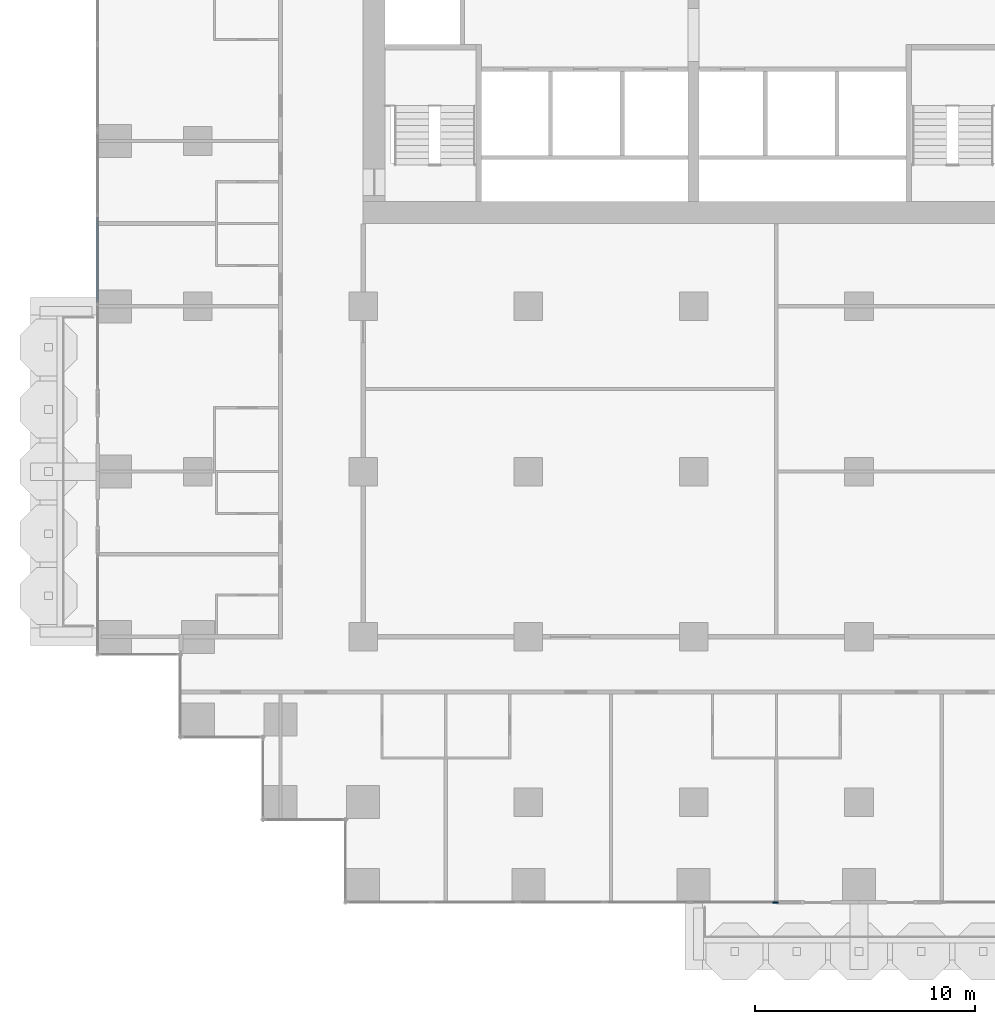
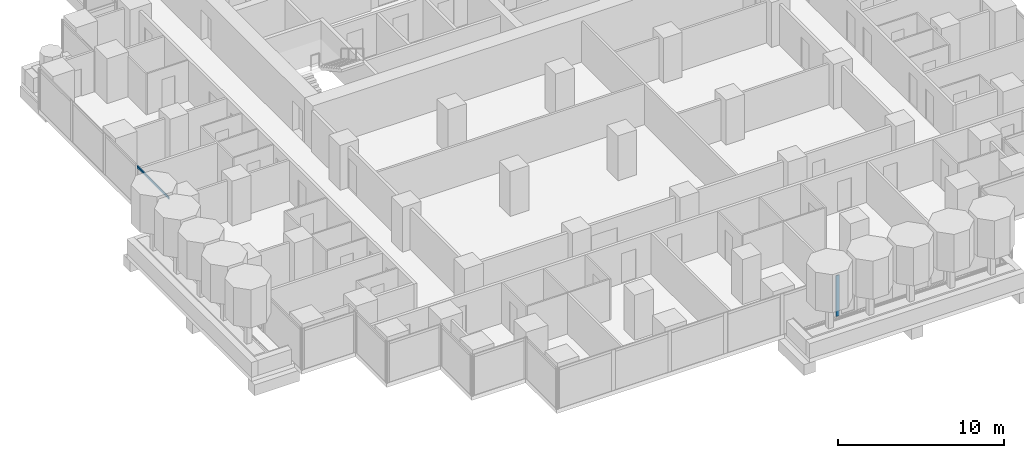
# One storey, part 3 of 19: 2 members, 2 elements without a shape of their own.
"""IFC4 building model written with IfcOpenShell, lengths in metres."""

import ifcopenshell
import ifcopenshell.guid

model = None  # the IFC model being written
_history = None  # IfcOwnerHistory: only IFC2X3 demands one
_inside = {}  # id of a spatial element -> (the spatial element, [elements in it])
_under = {}  # id of a project, library or spatial element -> (it, [spatial elements below it])
_declared = {}  # id of a project -> (the project, [libraries it declares])
_typed = {}  # id of a type object -> (the type object, [elements of that type])
_made_of = {}  # id of a material, layer set ... -> (it, [elements and type objects made of it])


def new_model(schema):
    """Start an empty IFC model of exactly this schema.

    Asked for "IFC4X3", IfcOpenShell would pick the latest addendum, in which some entities
    have other attributes; the version numbers below select the first issue.
    IFC2X3 requires an IfcOwnerHistory on every rooted entity: one is made here for all.
    """
    global model, _history
    if schema == "IFC4X3":
        model = ifcopenshell.file(schema_version=(4, 3, 0, 0))
    else:
        model = ifcopenshell.file(schema=schema)
    _inside.clear()
    _under.clear()
    _declared.clear()
    _typed.clear()
    _made_of.clear()
    _history = None
    if model.schema == "IFC2X3":
        org = make("IfcOrganization", Name="unknown")
        user = make(
            "IfcPersonAndOrganization",
            ThePerson=make("IfcPerson", FamilyName="unknown"),
            TheOrganization=org,
        )
        app = make(
            "IfcApplication",
            ApplicationDeveloper=org,
            Version="unknown",
            ApplicationFullName="unknown",
            ApplicationIdentifier="unknown",
        )
        _history = make(
            "IfcOwnerHistory",
            OwningUser=user,
            OwningApplication=app,
            ChangeAction="ADDED",
            CreationDate=0,
        )
    return model


def make(cls, **values):
    """One entity of the class cls with the attributes given. An attribute that is None is left unset."""
    return model.create_entity(
        cls, **{name: value for name, value in values.items() if value is not None}
    )


def rooted(cls, **values):
    """An entity with a GlobalId (a new one), such as an element, a storey or a relation."""
    return make(cls, GlobalId=ifcopenshell.guid.new(), OwnerHistory=_history, **values)


def si_unit(unit_type, name, prefix=None):
    """IfcSIUnit, for example si_unit("LENGTHUNIT", "METRE", prefix="MILLI")."""
    return make("IfcSIUnit", UnitType=unit_type, Prefix=prefix, Name=name)


def assignment(units):
    """IfcUnitAssignment: the units of a project."""
    return None if units is None else make("IfcUnitAssignment", Units=units)


def point(xyz):
    """IfcCartesianPoint."""
    return None if xyz is None else make("IfcCartesianPoint", Coordinates=xyz)


def direction(xyz):
    """IfcDirection."""
    return None if xyz is None else make("IfcDirection", DirectionRatios=xyz)


def frame(location, z_axis=None, x_axis=None):
    """IfcAxis2Placement3D, a coordinate frame: its origin and axes. An axis left out is left unset."""
    return make(
        "IfcAxis2Placement3D",
        Location=point(location),
        Axis=direction(z_axis),
        RefDirection=direction(x_axis),
    )


def frame_2d(location, x_axis=None):
    """IfcAxis2Placement2D, a coordinate frame in the plane: its origin and x axis."""
    return make(
        "IfcAxis2Placement2D", Location=point(location), RefDirection=direction(x_axis)
    )


def origin():
    """The frame at (0, 0, 0) with its axes left unset."""
    return frame((0.0, 0.0, 0.0))


def origin_2d():
    """The frame at (0, 0) in the plane with its x axis left unset."""
    return frame_2d((0.0, 0.0))


def place(relative_to, where):
    """IfcLocalPlacement: puts the frame where relative to a parent placement (None: the world)."""
    return make(
        "IfcLocalPlacement", PlacementRelTo=relative_to, RelativePlacement=where
    )


def context(
    kind, dimensions, precision=None, world=None, true_north=None, identifier=None
):
    """IfcGeometricRepresentationContext, for example the 3D "Model" context."""
    return make(
        "IfcGeometricRepresentationContext",
        ContextIdentifier=identifier,
        ContextType=kind,
        CoordinateSpaceDimension=dimensions,
        Precision=precision,
        WorldCoordinateSystem=world,
        TrueNorth=true_north,
    )


def subcontext(parent, identifier, kind, view, scale=None):
    """IfcGeometricRepresentationSubContext, for example "Body" below "Model"."""
    return make(
        "IfcGeometricRepresentationSubContext",
        ContextIdentifier=identifier,
        ContextType=kind,
        ParentContext=parent,
        TargetScale=scale,
        TargetView=view,
    )


def project(units=None, contexts=None):
    """IfcProject with its units and contexts."""
    return rooted(
        "IfcProject",
        Name="project",
        RepresentationContexts=contexts,
        UnitsInContext=assignment(units),
    )


def spatial(cls, under=None, at=None, **own):
    """A site, building, storey or space (cls), placed at a placement, below another one or the project."""
    s = rooted(cls, ObjectPlacement=at, **own)
    if under is not None:
        _under.setdefault(under.id(), (under, []))[1].append(s)
    return s


def profile(cls, at=None, kind="AREA", **sizes):
    """A parametric profile (cls). Its sizes go by their IFC names, for example OverallWidth=200.0."""
    return make(cls, ProfileType=kind, Position=at, **sizes)


def rectangle(**sizes):
    """IfcRectangleProfileDef."""
    return profile("IfcRectangleProfileDef", **sizes)


def extrude(swept, where, along, depth):
    """IfcExtrudedAreaSolid: the profile swept, set in the frame where, extruded along a direction by depth."""
    return make(
        "IfcExtrudedAreaSolid",
        SweptArea=swept,
        Position=where,
        ExtrudedDirection=direction(along),
        Depth=depth,
    )


def shape(context_of_items, identifier, shape_type, items):
    """IfcShapeRepresentation: the items that make up one representation, for example the "Body"."""
    return make(
        "IfcShapeRepresentation",
        ContextOfItems=context_of_items,
        RepresentationIdentifier=identifier,
        RepresentationType=shape_type,
        Items=items,
    )


def material(Name=None, Category=None):
    """IfcMaterial."""
    return make("IfcMaterial", Name=Name, Category=Category)


def material_profile(
    of_material, cross_section, Name=None, Category=None, Priority=None
):
    """IfcMaterialProfile: a cross section and its material."""
    return make(
        "IfcMaterialProfile",
        Name=Name,
        Material=of_material,
        Profile=cross_section,
        Priority=Priority,
        Category=Category,
    )


def profile_set(profiles, Name=None, composite=None):
    """IfcMaterialProfileSet."""
    return make(
        "IfcMaterialProfileSet",
        Name=Name,
        MaterialProfiles=profiles,
        CompositeProfile=composite,
    )


def made_of(thing, what):
    """Note that an element or type object is made of a material, layer set ...; save() writes the relation."""
    if what is not None:
        _made_of.setdefault(what.id(), (what, []))[1].append(thing)
    return thing


def type_object(cls, material=None, **own):
    """A type object (cls), such as IfcWallType, which elements share."""
    return made_of(rooted(cls, **own), material)


def element(
    cls,
    number,
    at=None,
    inside=None,
    cuts=None,
    type_object=None,
    material=None,
    context=None,
    identifier="Body",
    shape_type=None,
    held_by="IfcProductDefinitionShape",
    body=None,
    shapes=None,
    **own,
):
    """One element of the class cls, such as IfcWall. Its Tag is "e" and its number.

    at: its placement. inside: the storey or other place that contains it. cuts: it is an
    opening in that element (IfcRelVoidsElement). A single representation is given by context,
    identifier, shape_type and body (its items); several are given by shapes. held_by: the class
    of the entity that holds the representations. save() writes the other relations.
    """
    e = rooted(cls, Tag="e%d" % number, ObjectPlacement=at, **own)
    if body is not None:
        shapes = [shape(context, identifier, shape_type, body)]
    if shapes is not None:
        e.Representation = make(held_by, Representations=shapes)
    if inside is not None:
        _inside.setdefault(inside.id(), (inside, []))[1].append(e)
    if cuts is not None:
        rooted(
            "IfcRelVoidsElement", RelatingBuildingElement=cuts, RelatedOpeningElement=e
        )
    if type_object is not None:
        _typed.setdefault(type_object.id(), (type_object, []))[1].append(e)
    return made_of(e, material)


def aggregate(whole, parts):
    """IfcRelAggregates: a whole, such as a stair, and the parts it consists of."""
    return rooted("IfcRelAggregates", RelatingObject=whole, RelatedObjects=parts)


def save(model, path):
    """Write the relations noted so far, then the file.

    IfcRelAggregates (storeys below a building ...), IfcRelContainedInSpatialStructure (elements
    in a storey), IfcRelDefinesByType, IfcRelAssociatesMaterial and IfcRelDeclares: one each for
    every whole, place, type object, material and project.
    """
    for whole, parts in _under.values():
        aggregate(whole, parts)
    for where, things in _inside.values():
        rooted(
            "IfcRelContainedInSpatialStructure",
            RelatedElements=things,
            RelatingStructure=where,
        )
    for kind, things in _typed.values():
        rooted("IfcRelDefinesByType", RelatedObjects=things, RelatingType=kind)
    for what, things in _made_of.values():
        rooted("IfcRelAssociatesMaterial", RelatedObjects=things, RelatingMaterial=what)
    for by, libraries in _declared.values():
        rooted("IfcRelDeclares", RelatingContext=by, RelatedDefinitions=libraries)
    model.write(path)


model = new_model("IFC4")

# Units and contexts
model_context = context("Model", 3, precision=1e-05, world=origin(), true_north=direction((0.0, 1.0)))
body_context = subcontext(model_context, "Body", "Model", "MODEL_VIEW")
ifc_project = project(units=[si_unit("LENGTHUNIT", "METRE"), si_unit("AREAUNIT", "SQUARE_METRE"), si_unit("VOLUMEUNIT", "CUBIC_METRE"), si_unit("PLANEANGLEUNIT", "RADIAN"), si_unit("MASSUNIT", "GRAM", prefix="KILO")], contexts=[model_context])

# Site, building, storey
site_placement = place(None, origin())
site = spatial("IfcSite", under=ifc_project, at=site_placement, CompositionType="ELEMENT")
building_placement = place(site_placement, origin())
building = spatial("IfcBuilding", under=site, at=building_placement, Name="Pilkhan Gate Tower", CompositionType="ELEMENT")
storey_placement = place(building_placement, frame((0.0, 0.0, 59.300048828125)))
storey = spatial("IfcBuildingStorey", under=building, at=storey_placement, Name="L12", CompositionType="ELEMENT", Elevation=59.300048828125)

# Curtain wall, member
ifc_material_1 = material(Name="Pale anodised aluminium, clear low-iron double glazing", Category="aluminium")
curtain_wall_type = type_object("IfcCurtainWallType", Name="Hotel unitised curtain wall CW-H", PredefinedType="USERDEFINED", material=ifc_material_1)
curtain_wall_1_placement = place(storey_placement, origin())
curtain_wall_1 = element("IfcCurtainWall", 1, at=curtain_wall_1_placement, inside=storey, type_object=curtain_wall_type, Name="Hotel unitised curtain wall CW-H L12 S", ObjectType="UNITISED CURTAIN WALL", PredefinedType="USERDEFINED")
ifc_material_2 = material(Name="Pale anodised aluminium", Category="aluminium")
ifc_material_profile_1 = material_profile(ifc_material_2, rectangle(XDim=0.06494140625, YDim=0.25, at=origin_2d()), Name="Mullion 250x65")
ifc_profile_set_1 = profile_set([ifc_material_profile_1], Name="Pale anodised aluminium")
member_type_1 = type_object("IfcMemberType", Name="Mullion CW-H 250x65", PredefinedType="MULLION", material=ifc_profile_set_1)
member_1_placement = place(storey_placement, frame((78.717529296875, 40.455078125, 0.0), z_axis=(0.0, 0.0, 1.0), x_axis=(0.0, 1.0, 0.0)))
member_1 = element("IfcMember", 2, at=member_1_placement, type_object=member_type_1, Name="CW-H mullion 3", PredefinedType="MULLION", context=body_context, shape_type="SweptSolid", body=[
    extrude(rectangle(XDim=0.06494140625, YDim=0.25, at=origin_2d()), origin(), (0.0, 0.0, 1.0), 3.0),
])
aggregate(curtain_wall_1, [member_1])

curtain_wall_2_placement = place(storey_placement, origin())
curtain_wall_2 = element("IfcCurtainWall", 3, at=curtain_wall_2_placement, inside=storey, type_object=curtain_wall_type, Name="Hotel unitised curtain wall CW-H L12 W", ObjectType="UNITISED CURTAIN WALL", PredefinedType="USERDEFINED")
ifc_material_profile_2 = material_profile(ifc_material_2, rectangle(XDim=0.06494140625, YDim=0.179931640625, at=origin_2d()), Name="Transom 180x65")
ifc_profile_set_2 = profile_set([ifc_material_profile_2], Name="Pale anodised aluminium")
member_type_2 = type_object("IfcMemberType", Name="Transom CW-H 180x65", PredefinedType="USERDEFINED", material=ifc_profile_set_2)
member_2_placement = place(storey_placement, frame((47.955078125, 67.69140625, 2.909912109375), z_axis=(0.0, 1.0, 0.0), x_axis=(-1.0, 0.0, 0.0)))
member_2 = element("IfcMember", 4, at=member_2_placement, type_object=member_type_2, Name="CW-H transom 2", ObjectType="TRANSOM", PredefinedType="USERDEFINED", context=body_context, shape_type="SweptSolid", body=[
    extrude(rectangle(XDim=0.06494140625, YDim=0.179931640625, at=origin_2d()), origin(), (0.0, 0.0, 1.0), 3.843994140625),
])
aggregate(curtain_wall_2, [member_2])

save(model, "model.ifc")
